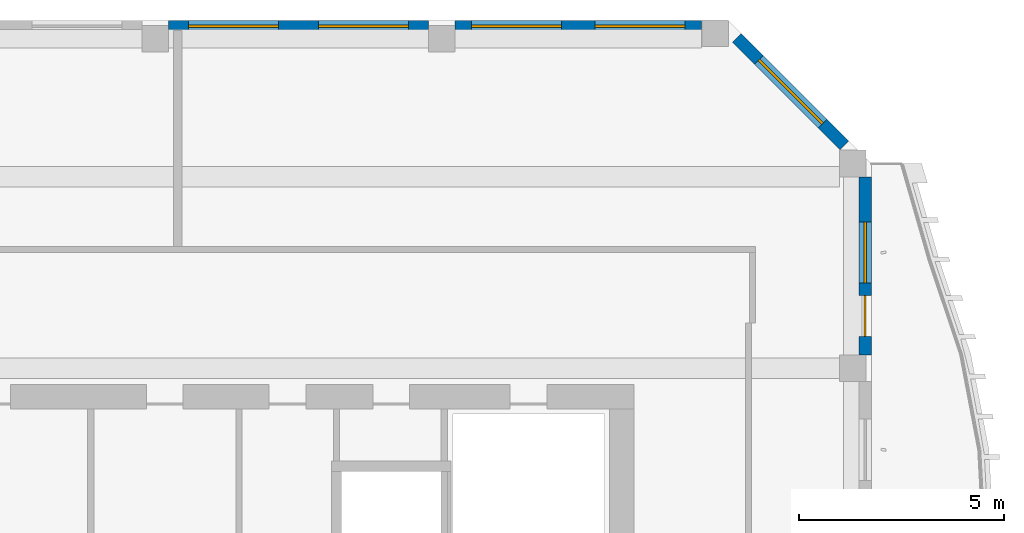
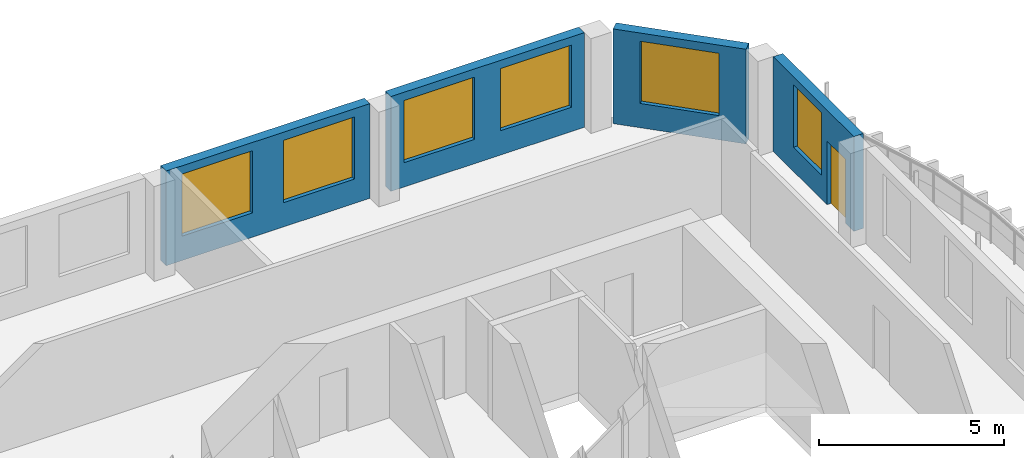
# One storey, part 9 of 17: 6 windows, 4 walls, 1 door, 7 openings.
"""IFC4 building model written with IfcOpenShell, lengths in metres."""

from ifc_helpers import new_model, si_unit, direction, frame, frame_2d, origin, place, context, subcontext, project, spatial, rectangle, extrude, source, transform, mapped, material, layer, layer_set, type_object, element, fill, save


model = new_model("IFC4")

# Units and contexts
model_context = context("Model", 3, precision=1e-05, world=origin(), true_north=direction((0.0, 1.0)))
body_context = subcontext(model_context, "Body", "Model", "MODEL_VIEW")
ifc_project = project(units=[si_unit("LENGTHUNIT", "METRE"), si_unit("AREAUNIT", "SQUARE_METRE"), si_unit("VOLUMEUNIT", "CUBIC_METRE"), si_unit("PLANEANGLEUNIT", "RADIAN"), si_unit("MASSUNIT", "GRAM", prefix="KILO")], contexts=[model_context])

# Site, building, storey
site_placement = place(None, origin())
site = spatial("IfcSite", under=ifc_project, at=site_placement, CompositionType="ELEMENT")
building_placement = place(site_placement, origin())
building = spatial("IfcBuilding", under=site, at=building_placement, Name="Kilnfold Tower and Market Hall", CompositionType="ELEMENT")
storey_placement = place(building_placement, frame((0.0, 0.0, 273.800048828125)))
storey = spatial("IfcBuildingStorey", under=building, at=storey_placement, Name="L67", CompositionType="ELEMENT", Elevation=273.800048828125)

# Wall, openings, windows
ifc_material_1 = material(Name="Precast concrete C50/60", Category="concrete")
ifc_layer = layer(ifc_material_1, 0.300048828125)
ifc_layer_set = layer_set([ifc_layer], Name="Precast concrete C50/60")
wall_type = type_object("IfcWallType", Name="PRECAST WALL 300", PredefinedType="SOLIDWALL", material=ifc_layer_set)
shared_shape_1 = source(origin(), body_context, "Body", "SweptSolid", [
    extrude(rectangle(XDim=6.35009765625, YDim=0.300048828125, at=frame_2d((3.175048828125, 0.0))), origin(), (0.0, 0.0, 1.0), 3.119873046875),
])
wall_1_placement = place(storey_placement, frame((12.675048828125, 30.35009765625, 0.0), z_axis=(0.0, 0.0, 1.0), x_axis=(-1.0, 0.0, 0.0)))
wall_1 = element("IfcWall", 1, at=wall_1_placement, inside=storey, type_object=wall_type, Name="External wall L67 N", PredefinedType="SOLIDWALL", context=body_context, shape_type="MappedRepresentation", body=[
    mapped(shared_shape_1, transform((0.0, 0.0, 0.0))),
])
opening_1_placement = place(wall_1_placement, frame((0.487548828125, 0.0, 0.800048828125)))
opening_1 = element("IfcOpeningElement", 2, at=opening_1_placement, cuts=wall_1, Name="Opening W3", PredefinedType="OPENING", context=body_context, shape_type="SweptSolid", body=[
    extrude(rectangle(XDim=2.199951171875, YDim=2.050048828125, at=frame_2d((1.10009765625, 1.02490234375))), frame((0.0, 0.16015625, 0.0), z_axis=(0.0, -1.0, 0.0), x_axis=(1.0, 0.0, 0.0)), (0.0, 0.0, 1.0), 0.320068359375),
])
opening_2_placement = place(wall_1_placement, frame((3.66259765625, 0.0, 0.800048828125)))
opening_2 = element("IfcOpeningElement", 3, at=opening_2_placement, cuts=wall_1, Name="Opening W3", PredefinedType="OPENING", context=body_context, shape_type="SweptSolid", body=[
    extrude(rectangle(XDim=2.199951171875, YDim=2.050048828125, at=frame_2d((1.10009765625, 1.02490234375))), frame((0.0, 0.16015625, 0.0), z_axis=(0.0, -1.0, 0.0), x_axis=(1.0, 0.0, 0.0)), (0.0, 0.0, 1.0), 0.320068359375),
])
ifc_material_2 = material(Name="Aluminium frame and double glazing", Category="aluminium")
window_type_1 = type_object("IfcWindowType", Name="WINDOW W3 2200X2050", PartitioningType="SINGLE_PANEL", PredefinedType="WINDOW", material=ifc_material_2)
window_1_placement = place(opening_1_placement, origin())
window_1 = element("IfcWindow", 4, at=window_1_placement, inside=storey, type_object=window_type_1, Name="Window W3 L67 N-1", OverallHeight=2.050048828125, OverallWidth=2.199951171875, PartitioningType="SINGLE_PANEL", PredefinedType="WINDOW", context=body_context, shape_type="SweptSolid", body=[
    extrude(rectangle(XDim=2.199951171875, YDim=2.050048828125, at=frame_2d((1.10009765625, 1.02490234375))), frame((0.0, 0.030029296875, 0.0), z_axis=(0.0, -1.0, 0.0), x_axis=(1.0, 0.0, 0.0)), (0.0, 0.0, 1.0), 0.06005859375),
])
fill(opening_1, window_1)
window_2_placement = place(opening_2_placement, origin())
window_2 = element("IfcWindow", 5, at=window_2_placement, inside=storey, type_object=window_type_1, Name="Window W3 L67 N-2", OverallHeight=2.050048828125, OverallWidth=2.199951171875, PartitioningType="SINGLE_PANEL", PredefinedType="WINDOW", context=body_context, shape_type="SweptSolid", body=[
    extrude(rectangle(XDim=2.199951171875, YDim=2.050048828125, at=frame_2d((1.10009765625, 1.02490234375))), frame((0.0, 0.030029296875, 0.0), z_axis=(0.0, -1.0, 0.0), x_axis=(1.0, 0.0, 0.0)), (0.0, 0.0, 1.0), 0.06005859375),
])
fill(opening_2, window_2)

# Wall, opening, window
shared_shape_2 = source(origin(), body_context, "Body", "SweptSolid", [
    extrude(rectangle(XDim=3.71240234375, YDim=0.300048828125, at=frame_2d((1.856201171875, 0.0))), origin(), (0.0, 0.0, 1.0), 3.119873046875),
])
wall_2_placement = place(storey_placement, frame((22.843994140625, 27.44384765625, 0.0), z_axis=(0.0, 0.0, 1.0), x_axis=(-0.707106781187, 0.707106781187, 0.0)))
wall_2 = element("IfcWall", 6, at=wall_2_placement, inside=storey, type_object=wall_type, Name="External wall L67 NE", PredefinedType="SOLIDWALL", context=body_context, shape_type="MappedRepresentation", body=[
    mapped(shared_shape_2, transform((0.0, 0.0, 0.0))),
])
opening_3_placement = place(wall_2_placement, frame((0.756103515625, 0.0, 0.800048828125)))
opening_3 = element("IfcOpeningElement", 7, at=opening_3_placement, cuts=wall_2, Name="Opening W3", PredefinedType="OPENING", context=body_context, shape_type="SweptSolid", body=[
    extrude(rectangle(XDim=2.199951171875, YDim=2.050048828125, at=frame_2d((1.10009765625, 1.02490234375))), frame((0.0, 0.16015625, 0.0), z_axis=(0.0, -1.0, 0.0), x_axis=(1.0, 0.0, 0.0)), (0.0, 0.0, 1.0), 0.320068359375),
])
window_3_placement = place(opening_3_placement, origin())
window_3 = element("IfcWindow", 8, at=window_3_placement, inside=storey, type_object=window_type_1, Name="Window W3 L67 NE-1", OverallHeight=2.050048828125, OverallWidth=2.199951171875, PartitioningType="SINGLE_PANEL", PredefinedType="WINDOW", context=body_context, shape_type="SweptSolid", body=[
    extrude(rectangle(XDim=2.199951171875, YDim=2.050048828125, at=frame_2d((1.10009765625, 1.02490234375))), frame((0.0, 0.030029296875, 0.0), z_axis=(0.0, -1.0, 0.0), x_axis=(1.0, 0.0, 0.0)), (0.0, 0.0, 1.0), 0.06005859375),
])
fill(opening_3, window_3)

# Wall, openings, door, window
shared_shape_3 = source(origin(), body_context, "Body", "SweptSolid", [
    extrude(rectangle(XDim=4.35009765625, YDim=0.300048828125, at=frame_2d((2.175048828125, 0.0))), origin(), (0.0, 0.0, 1.0), 3.119873046875),
])
wall_3_placement = place(storey_placement, frame((23.35009765625, 22.324951171875, 0.0), z_axis=(0.0, 0.0, 1.0), x_axis=(0.0, 1.0, 0.0)))
wall_3 = element("IfcWall", 9, at=wall_3_placement, inside=storey, type_object=wall_type, Name="External wall L67 E", PredefinedType="SOLIDWALL", context=body_context, shape_type="MappedRepresentation", body=[
    mapped(shared_shape_3, transform((0.0, 0.0, 0.0))),
])
opening_4_placement = place(wall_3_placement, frame((1.75, 0.0, 0.800048828125)))
opening_4 = element("IfcOpeningElement", 10, at=opening_4_placement, cuts=wall_3, Name="Opening W5", PredefinedType="OPENING", context=body_context, shape_type="SweptSolid", body=[
    extrude(rectangle(XDim=1.5, YDim=2.050048828125, at=frame_2d((0.75, 1.02490234375))), frame((0.0, 0.16015625, 0.0), z_axis=(0.0, -1.0, 0.0), x_axis=(1.0, 0.0, 0.0)), (0.0, 0.0, 1.0), 0.320068359375),
])
opening_5_placement = place(wall_3_placement, frame((0.449951171875, 0.0, 0.0)))
opening_5 = element("IfcOpeningElement", 11, at=opening_5_placement, cuts=wall_3, Name="Opening BD1", PredefinedType="OPENING", context=body_context, shape_type="SweptSolid", body=[
    extrude(rectangle(XDim=1.0, YDim=2.10009765625, at=frame_2d((0.5, 1.050048828125))), frame((0.0, 0.16015625, 0.0), z_axis=(0.0, -1.0, 0.0), x_axis=(1.0, 0.0, 0.0)), (0.0, 0.0, 1.0), 0.320068359375),
])
ifc_material_3 = material(Name="Aluminium frame and double glazing", Category="aluminium")
door_type = type_object("IfcDoorType", Name="BALCONY DOOR 1000X2100", OperationType="NOTDEFINED", PredefinedType="DOOR", material=ifc_material_3)
door_placement = place(opening_5_placement, origin())
door = element("IfcDoor", 12, at=door_placement, inside=storey, type_object=door_type, Name="Balcony door BD1 L67 E-1", OperationType="SINGLE_SWING_LEFT", OverallHeight=2.10009765625, OverallWidth=1.0, PredefinedType="DOOR", context=body_context, shape_type="SweptSolid", body=[
    extrude(rectangle(XDim=1.0, YDim=2.10009765625, at=frame_2d((0.5, 1.050048828125))), frame((0.0, 0.02490234375, 0.0), z_axis=(0.0, -1.0, 0.0), x_axis=(1.0, 0.0, 0.0)), (0.0, 0.0, 1.0), 0.050048828125),
])
fill(opening_5, door)
ifc_material_4 = material(Name="Aluminium frame and double glazing", Category="aluminium")
window_type_2 = type_object("IfcWindowType", Name="WINDOW W5 1500X2050", PartitioningType="SINGLE_PANEL", PredefinedType="WINDOW", material=ifc_material_4)
window_4_placement = place(opening_4_placement, origin())
window_4 = element("IfcWindow", 13, at=window_4_placement, inside=storey, type_object=window_type_2, Name="Window W5 L67 E-1", OverallHeight=2.050048828125, OverallWidth=1.5, PartitioningType="SINGLE_PANEL", PredefinedType="WINDOW", context=body_context, shape_type="SweptSolid", body=[
    extrude(rectangle(XDim=1.5, YDim=2.050048828125, at=frame_2d((0.75, 1.02490234375))), frame((0.0, 0.030029296875, 0.0), z_axis=(0.0, -1.0, 0.0), x_axis=(1.0, 0.0, 0.0)), (0.0, 0.0, 1.0), 0.06005859375),
])
fill(opening_4, window_4)

# Wall, openings, windows
shared_shape_4 = source(origin(), body_context, "Body", "SweptSolid", [
    extrude(rectangle(XDim=6.03173828125, YDim=0.300048828125, at=frame_2d((3.015869140625, 0.0))), origin(), (0.0, 0.0, 1.0), 3.119873046875),
])
wall_4_placement = place(storey_placement, frame((19.356689453125, 30.35009765625, 0.0), z_axis=(0.0, 0.0, 1.0), x_axis=(-1.0, 0.0, 0.0)))
wall_4 = element("IfcWall", 14, at=wall_4_placement, inside=storey, type_object=wall_type, Name="External wall L67 N", PredefinedType="SOLIDWALL", context=body_context, shape_type="MappedRepresentation", body=[
    mapped(shared_shape_4, transform((0.0, 0.0, 0.0))),
])
opening_6_placement = place(wall_4_placement, frame((0.407958984375, 0.0, 0.800048828125)))
opening_6 = element("IfcOpeningElement", 15, at=opening_6_placement, cuts=wall_4, Name="Opening W3", PredefinedType="OPENING", context=body_context, shape_type="SweptSolid", body=[
    extrude(rectangle(XDim=2.199951171875, YDim=2.050048828125, at=frame_2d((1.10009765625, 1.02490234375))), frame((0.0, 0.16015625, 0.0), z_axis=(0.0, -1.0, 0.0), x_axis=(1.0, 0.0, 0.0)), (0.0, 0.0, 1.0), 0.320068359375),
])
opening_7_placement = place(wall_4_placement, frame((3.423828125, 0.0, 0.800048828125)))
opening_7 = element("IfcOpeningElement", 16, at=opening_7_placement, cuts=wall_4, Name="Opening W3", PredefinedType="OPENING", context=body_context, shape_type="SweptSolid", body=[
    extrude(rectangle(XDim=2.199951171875, YDim=2.050048828125, at=frame_2d((1.10009765625, 1.02490234375))), frame((0.0, 0.16015625, 0.0), z_axis=(0.0, -1.0, 0.0), x_axis=(1.0, 0.0, 0.0)), (0.0, 0.0, 1.0), 0.320068359375),
])
window_5_placement = place(opening_6_placement, origin())
window_5 = element("IfcWindow", 17, at=window_5_placement, inside=storey, type_object=window_type_1, Name="Window W3 L67 N-1", OverallHeight=2.050048828125, OverallWidth=2.199951171875, PartitioningType="SINGLE_PANEL", PredefinedType="WINDOW", context=body_context, shape_type="SweptSolid", body=[
    extrude(rectangle(XDim=2.199951171875, YDim=2.050048828125, at=frame_2d((1.10009765625, 1.02490234375))), frame((0.0, 0.030029296875, 0.0), z_axis=(0.0, -1.0, 0.0), x_axis=(1.0, 0.0, 0.0)), (0.0, 0.0, 1.0), 0.06005859375),
])
fill(opening_6, window_5)
window_6_placement = place(opening_7_placement, origin())
window_6 = element("IfcWindow", 18, at=window_6_placement, inside=storey, type_object=window_type_1, Name="Window W3 L67 N-2", OverallHeight=2.050048828125, OverallWidth=2.199951171875, PartitioningType="SINGLE_PANEL", PredefinedType="WINDOW", context=body_context, shape_type="SweptSolid", body=[
    extrude(rectangle(XDim=2.199951171875, YDim=2.050048828125, at=frame_2d((1.10009765625, 1.02490234375))), frame((0.0, 0.030029296875, 0.0), z_axis=(0.0, -1.0, 0.0), x_axis=(1.0, 0.0, 0.0)), (0.0, 0.0, 1.0), 0.06005859375),
])
fill(opening_7, window_6)

save(model, "model.ifc")
